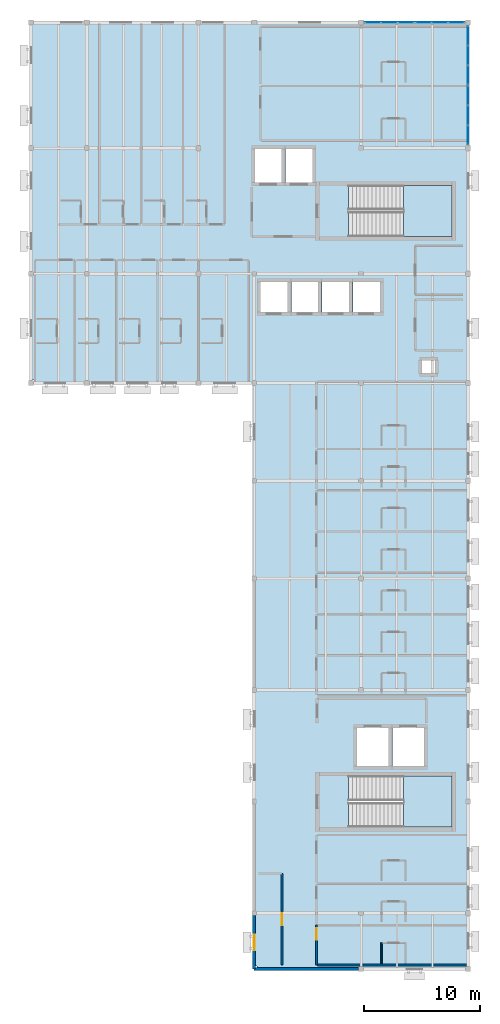
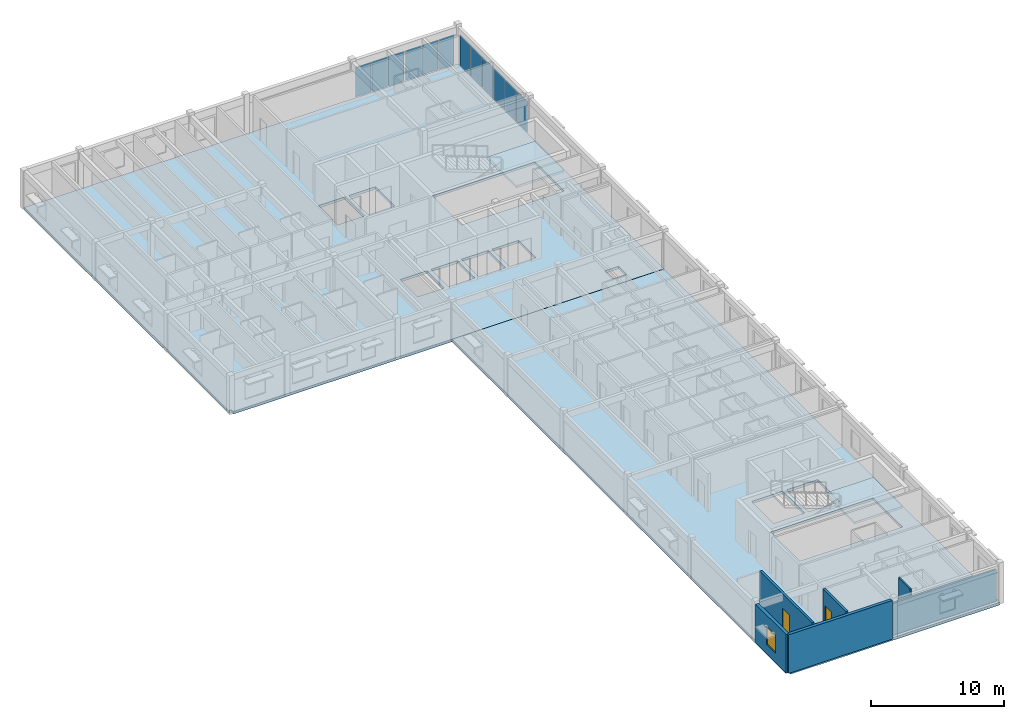
# One storey, part 4 of 14: 12 plates, 6 walls, 4 slabs, 2 doors, 1 window, 3 openings, 6 elements without a shape of their own.
"""IFC4 building model written with IfcOpenShell, lengths in metres."""

import ifcopenshell
import ifcopenshell.guid

model = None  # the IFC model being written
_history = None  # IfcOwnerHistory: only IFC2X3 demands one
_inside = {}  # id of a spatial element -> (the spatial element, [elements in it])
_under = {}  # id of a project, library or spatial element -> (it, [spatial elements below it])
_declared = {}  # id of a project -> (the project, [libraries it declares])
_typed = {}  # id of a type object -> (the type object, [elements of that type])
_made_of = {}  # id of a material, layer set ... -> (it, [elements and type objects made of it])


def new_model(schema):
    """Start an empty IFC model of exactly this schema.

    Asked for "IFC4X3", IfcOpenShell would pick the latest addendum, in which some entities
    have other attributes; the version numbers below select the first issue.
    IFC2X3 requires an IfcOwnerHistory on every rooted entity: one is made here for all.
    """
    global model, _history
    if schema == "IFC4X3":
        model = ifcopenshell.file(schema_version=(4, 3, 0, 0))
    else:
        model = ifcopenshell.file(schema=schema)
    _inside.clear()
    _under.clear()
    _declared.clear()
    _typed.clear()
    _made_of.clear()
    _history = None
    if model.schema == "IFC2X3":
        org = make("IfcOrganization", Name="unknown")
        user = make(
            "IfcPersonAndOrganization",
            ThePerson=make("IfcPerson", FamilyName="unknown"),
            TheOrganization=org,
        )
        app = make(
            "IfcApplication",
            ApplicationDeveloper=org,
            Version="unknown",
            ApplicationFullName="unknown",
            ApplicationIdentifier="unknown",
        )
        _history = make(
            "IfcOwnerHistory",
            OwningUser=user,
            OwningApplication=app,
            ChangeAction="ADDED",
            CreationDate=0,
        )
    return model


def make(cls, **values):
    """One entity of the class cls with the attributes given. An attribute that is None is left unset."""
    return model.create_entity(
        cls, **{name: value for name, value in values.items() if value is not None}
    )


def rooted(cls, **values):
    """An entity with a GlobalId (a new one), such as an element, a storey or a relation."""
    return make(cls, GlobalId=ifcopenshell.guid.new(), OwnerHistory=_history, **values)


def si_unit(unit_type, name, prefix=None):
    """IfcSIUnit, for example si_unit("LENGTHUNIT", "METRE", prefix="MILLI")."""
    return make("IfcSIUnit", UnitType=unit_type, Prefix=prefix, Name=name)


def assignment(units):
    """IfcUnitAssignment: the units of a project."""
    return None if units is None else make("IfcUnitAssignment", Units=units)


def point(xyz):
    """IfcCartesianPoint."""
    return None if xyz is None else make("IfcCartesianPoint", Coordinates=xyz)


def direction(xyz):
    """IfcDirection."""
    return None if xyz is None else make("IfcDirection", DirectionRatios=xyz)


def frame(location, z_axis=None, x_axis=None):
    """IfcAxis2Placement3D, a coordinate frame: its origin and axes. An axis left out is left unset."""
    return make(
        "IfcAxis2Placement3D",
        Location=point(location),
        Axis=direction(z_axis),
        RefDirection=direction(x_axis),
    )


def frame_2d(location, x_axis=None):
    """IfcAxis2Placement2D, a coordinate frame in the plane: its origin and x axis."""
    return make(
        "IfcAxis2Placement2D", Location=point(location), RefDirection=direction(x_axis)
    )


def origin():
    """The frame at (0, 0, 0) with its axes left unset."""
    return frame((0.0, 0.0, 0.0))


def origin_2d():
    """The frame at (0, 0) in the plane with its x axis left unset."""
    return frame_2d((0.0, 0.0))


def place(relative_to, where):
    """IfcLocalPlacement: puts the frame where relative to a parent placement (None: the world)."""
    return make(
        "IfcLocalPlacement", PlacementRelTo=relative_to, RelativePlacement=where
    )


def context(
    kind, dimensions, precision=None, world=None, true_north=None, identifier=None
):
    """IfcGeometricRepresentationContext, for example the 3D "Model" context."""
    return make(
        "IfcGeometricRepresentationContext",
        ContextIdentifier=identifier,
        ContextType=kind,
        CoordinateSpaceDimension=dimensions,
        Precision=precision,
        WorldCoordinateSystem=world,
        TrueNorth=true_north,
    )


def subcontext(parent, identifier, kind, view, scale=None):
    """IfcGeometricRepresentationSubContext, for example "Body" below "Model"."""
    return make(
        "IfcGeometricRepresentationSubContext",
        ContextIdentifier=identifier,
        ContextType=kind,
        ParentContext=parent,
        TargetScale=scale,
        TargetView=view,
    )


def project(units=None, contexts=None):
    """IfcProject with its units and contexts."""
    return rooted(
        "IfcProject",
        Name="project",
        RepresentationContexts=contexts,
        UnitsInContext=assignment(units),
    )


def spatial(cls, under=None, at=None, **own):
    """A site, building, storey or space (cls), placed at a placement, below another one or the project."""
    s = rooted(cls, ObjectPlacement=at, **own)
    if under is not None:
        _under.setdefault(under.id(), (under, []))[1].append(s)
    return s


def polyline(points):
    """IfcPolyline through the points."""
    return make("IfcPolyline", Points=[point(p) for p in points])


def profile(cls, at=None, kind="AREA", **sizes):
    """A parametric profile (cls). Its sizes go by their IFC names, for example OverallWidth=200.0."""
    return make(cls, ProfileType=kind, Position=at, **sizes)


def rectangle(**sizes):
    """IfcRectangleProfileDef."""
    return profile("IfcRectangleProfileDef", **sizes)


def outline(outer, holes=None, kind="AREA"):
    """IfcArbitraryClosedProfileDef: a profile drawn as a closed curve; with holes, ...WithVoids."""
    if holes is None:
        return make("IfcArbitraryClosedProfileDef", ProfileType=kind, OuterCurve=outer)
    return make(
        "IfcArbitraryProfileDefWithVoids",
        ProfileType=kind,
        OuterCurve=outer,
        InnerCurves=holes,
    )


def extrude(swept, where, along, depth):
    """IfcExtrudedAreaSolid: the profile swept, set in the frame where, extruded along a direction by depth."""
    return make(
        "IfcExtrudedAreaSolid",
        SweptArea=swept,
        Position=where,
        ExtrudedDirection=direction(along),
        Depth=depth,
    )


def shape(context_of_items, identifier, shape_type, items):
    """IfcShapeRepresentation: the items that make up one representation, for example the "Body"."""
    return make(
        "IfcShapeRepresentation",
        ContextOfItems=context_of_items,
        RepresentationIdentifier=identifier,
        RepresentationType=shape_type,
        Items=items,
    )


def material(Name=None, Category=None):
    """IfcMaterial."""
    return make("IfcMaterial", Name=Name, Category=Category)


def layer(
    of_material, thickness, ventilated=None, Name=None, Category=None, Priority=None
):
    """IfcMaterialLayer: one layer of a wall or slab, of a material (None: an air gap)."""
    return make(
        "IfcMaterialLayer",
        Material=of_material,
        LayerThickness=thickness,
        IsVentilated=ventilated,
        Name=Name,
        Category=Category,
        Priority=Priority,
    )


def layer_set(layers, Name=None):
    """IfcMaterialLayerSet."""
    return make("IfcMaterialLayerSet", MaterialLayers=layers, LayerSetName=Name)


def made_of(thing, what):
    """Note that an element or type object is made of a material, layer set ...; save() writes the relation."""
    if what is not None:
        _made_of.setdefault(what.id(), (what, []))[1].append(thing)
    return thing


def type_object(cls, material=None, **own):
    """A type object (cls), such as IfcWallType, which elements share."""
    return made_of(rooted(cls, **own), material)


def element(
    cls,
    number,
    at=None,
    inside=None,
    cuts=None,
    type_object=None,
    material=None,
    context=None,
    identifier="Body",
    shape_type=None,
    held_by="IfcProductDefinitionShape",
    body=None,
    shapes=None,
    **own,
):
    """One element of the class cls, such as IfcWall. Its Tag is "e" and its number.

    at: its placement. inside: the storey or other place that contains it. cuts: it is an
    opening in that element (IfcRelVoidsElement). A single representation is given by context,
    identifier, shape_type and body (its items); several are given by shapes. held_by: the class
    of the entity that holds the representations. save() writes the other relations.
    """
    e = rooted(cls, Tag="e%d" % number, ObjectPlacement=at, **own)
    if body is not None:
        shapes = [shape(context, identifier, shape_type, body)]
    if shapes is not None:
        e.Representation = make(held_by, Representations=shapes)
    if inside is not None:
        _inside.setdefault(inside.id(), (inside, []))[1].append(e)
    if cuts is not None:
        rooted(
            "IfcRelVoidsElement", RelatingBuildingElement=cuts, RelatedOpeningElement=e
        )
    if type_object is not None:
        _typed.setdefault(type_object.id(), (type_object, []))[1].append(e)
    return made_of(e, material)


def fill(opening, filler):
    """IfcRelFillsElement: the door or window that sits in an opening."""
    return rooted(
        "IfcRelFillsElement",
        RelatingOpeningElement=opening,
        RelatedBuildingElement=filler,
    )


def aggregate(whole, parts):
    """IfcRelAggregates: a whole, such as a stair, and the parts it consists of."""
    return rooted("IfcRelAggregates", RelatingObject=whole, RelatedObjects=parts)


def save(model, path):
    """Write the relations noted so far, then the file.

    IfcRelAggregates (storeys below a building ...), IfcRelContainedInSpatialStructure (elements
    in a storey), IfcRelDefinesByType, IfcRelAssociatesMaterial and IfcRelDeclares: one each for
    every whole, place, type object, material and project.
    """
    for whole, parts in _under.values():
        aggregate(whole, parts)
    for where, things in _inside.values():
        rooted(
            "IfcRelContainedInSpatialStructure",
            RelatedElements=things,
            RelatingStructure=where,
        )
    for kind, things in _typed.values():
        rooted("IfcRelDefinesByType", RelatedObjects=things, RelatingType=kind)
    for what, things in _made_of.values():
        rooted("IfcRelAssociatesMaterial", RelatedObjects=things, RelatingMaterial=what)
    for by, libraries in _declared.values():
        rooted("IfcRelDeclares", RelatingContext=by, RelatedDefinitions=libraries)
    model.write(path)


model = new_model("IFC4")

# Units and contexts
model_context = context("Model", 3, precision=1e-05, world=origin(), true_north=direction((0.0, 1.0)))
body_context = subcontext(model_context, "Body", "Model", "MODEL_VIEW")
ifc_project = project(units=[si_unit("LENGTHUNIT", "METRE"), si_unit("AREAUNIT", "SQUARE_METRE"), si_unit("VOLUMEUNIT", "CUBIC_METRE"), si_unit("PLANEANGLEUNIT", "RADIAN"), si_unit("MASSUNIT", "GRAM", prefix="KILO")], contexts=[model_context])

# Site, building, storey
site_placement = place(None, origin())
site = spatial("IfcSite", under=ifc_project, at=site_placement, CompositionType="ELEMENT")
building_placement = place(site_placement, origin())
building = spatial("IfcBuilding", under=site, at=building_placement, Name="Veldera Park Congress Hotel", CompositionType="ELEMENT")
storey_placement = place(building_placement, frame((0.0, 0.0, 42.800048828125)))
storey = spatial("IfcBuildingStorey", under=building, at=storey_placement, Name="L10", CompositionType="ELEMENT", Elevation=42.800048828125)

# Curtain wall, plates
ifc_material_1 = material(Name="Low-E Triple Insulating Glass Unit (SHGC 0.22)", Category="glass")
curtain_wall_type = type_object("IfcCurtainWallType", Name="CW-HTL", PredefinedType="NOTDEFINED", material=ifc_material_1)
curtain_wall_1_placement = place(storey_placement, origin())
curtain_wall_1 = element("IfcCurtainWall", 1, at=curtain_wall_1_placement, inside=storey, type_object=curtain_wall_type, Name="L10 Curtain Wall CW3-HTLNE-L10-126", PredefinedType="NOTDEFINED")
ifc_layer_1 = layer(ifc_material_1, 0.028076171875)
ifc_layer_set_1 = layer_set([ifc_layer_1], Name="Low-E Triple Insulating Glass Unit (SHGC 0.22)")
plate_type = type_object("IfcPlateType", Name="CWP-IGU28", PredefinedType="CURTAIN_PANEL", material=ifc_layer_set_1)
plate_1_placement = place(storey_placement, frame((84.0, 48.333251953125, 0.06005859375), z_axis=(0.0, 0.0, 1.0), x_axis=(0.0, 1.0, 0.0)))
plate_1 = element("IfcPlate", 2, at=plate_1_placement, type_object=plate_type, Name="CW-HTL panel 1.1", PredefinedType="CURTAIN_PANEL", context=body_context, shape_type="SweptSolid", body=[
    extrude(rectangle(XDim=1.61669921875, YDim=0.028076171875, at=origin_2d()), origin(), (0.0, 0.0, 1.0), 2.8349609375),
])
plate_2_placement = place(storey_placement, frame((84.0, 50.02490234375, 0.06005859375), z_axis=(0.0, 0.0, 1.0), x_axis=(0.0, 1.0, 0.0)))
plate_2 = element("IfcPlate", 3, at=plate_2_placement, type_object=plate_type, Name="CW-HTL panel 2.1", PredefinedType="CURTAIN_PANEL", context=body_context, shape_type="SweptSolid", body=[
    extrude(rectangle(XDim=1.646728515625, YDim=0.028076171875, at=origin_2d()), origin(), (0.0, 0.0, 1.0), 2.8349609375),
])
plate_3_placement = place(storey_placement, frame((84.0, 51.716552734375, 0.06005859375), z_axis=(0.0, 0.0, 1.0), x_axis=(0.0, 1.0, 0.0)))
plate_3 = element("IfcPlate", 4, at=plate_3_placement, type_object=plate_type, Name="CW-HTL panel 3.1", PredefinedType="CURTAIN_PANEL", context=body_context, shape_type="SweptSolid", body=[
    extrude(rectangle(XDim=1.61669921875, YDim=0.028076171875, at=origin_2d()), origin(), (0.0, 0.0, 1.0), 2.8349609375),
])
aggregate(curtain_wall_1, [plate_1, plate_2, plate_3])

curtain_wall_2_placement = place(storey_placement, origin())
curtain_wall_2 = element("IfcCurtainWall", 5, at=curtain_wall_2_placement, inside=storey, type_object=curtain_wall_type, Name="L10 Curtain Wall CW3-HTLNE-L10-127", PredefinedType="NOTDEFINED")
plate_4_placement = place(storey_placement, frame((84.0, 53.4833984375, 0.06005859375), z_axis=(0.0, 0.0, 1.0), x_axis=(0.0, 1.0, 0.0)))
plate_4 = element("IfcPlate", 6, at=plate_4_placement, type_object=plate_type, Name="CW-HTL panel 1.1", PredefinedType="CURTAIN_PANEL", context=body_context, shape_type="SweptSolid", body=[
    extrude(rectangle(XDim=1.61669921875, YDim=0.028076171875, at=origin_2d()), origin(), (0.0, 0.0, 1.0), 2.8349609375),
])
plate_5_placement = place(storey_placement, frame((84.0, 55.175048828125, 0.06005859375), z_axis=(0.0, 0.0, 1.0), x_axis=(0.0, 1.0, 0.0)))
plate_5 = element("IfcPlate", 7, at=plate_5_placement, type_object=plate_type, Name="CW-HTL panel 2.1", PredefinedType="CURTAIN_PANEL", context=body_context, shape_type="SweptSolid", body=[
    extrude(rectangle(XDim=1.646728515625, YDim=0.028076171875, at=origin_2d()), origin(), (0.0, 0.0, 1.0), 2.8349609375),
])
plate_6_placement = place(storey_placement, frame((84.0, 56.86669921875, 0.06005859375), z_axis=(0.0, 0.0, 1.0), x_axis=(0.0, 1.0, 0.0)))
plate_6 = element("IfcPlate", 8, at=plate_6_placement, type_object=plate_type, Name="CW-HTL panel 3.1", PredefinedType="CURTAIN_PANEL", context=body_context, shape_type="SweptSolid", body=[
    extrude(rectangle(XDim=1.61669921875, YDim=0.028076171875, at=origin_2d()), origin(), (0.0, 0.0, 1.0), 2.8349609375),
])
aggregate(curtain_wall_2, [plate_4, plate_5, plate_6])

curtain_wall_3_placement = place(storey_placement, origin())
curtain_wall_3 = element("IfcCurtainWall", 9, at=curtain_wall_3_placement, inside=storey, type_object=curtain_wall_type, Name="L10 Curtain Wall CW3-HTLNN-L10-128", PredefinedType="NOTDEFINED")
plate_7_placement = place(storey_placement, frame((83.0, 58.0, 0.06005859375), z_axis=(0.0, 0.0, 1.0), x_axis=(-1.0, 0.0, 0.0)))
plate_7 = element("IfcPlate", 10, at=plate_7_placement, type_object=plate_type, Name="CW-HTL panel 1.1", PredefinedType="CURTAIN_PANEL", context=body_context, shape_type="SweptSolid", body=[
    extrude(rectangle(XDim=1.35009765625, YDim=0.028076171875, at=origin_2d()), origin(), (0.0, 0.0, 1.0), 2.735107421875),
])
plate_8_placement = place(storey_placement, frame((81.574951171875, 58.0, 0.06005859375), z_axis=(0.0, 0.0, 1.0), x_axis=(-1.0, 0.0, 0.0)))
plate_8 = element("IfcPlate", 11, at=plate_8_placement, type_object=plate_type, Name="CW-HTL panel 2.1", PredefinedType="CURTAIN_PANEL", context=body_context, shape_type="SweptSolid", body=[
    extrude(rectangle(XDim=1.3798828125, YDim=0.028076171875, at=origin_2d()), origin(), (0.0, 0.0, 1.0), 2.735107421875),
])
plate_9_placement = place(storey_placement, frame((80.14990234375, 58.0, 0.06005859375), z_axis=(0.0, 0.0, 1.0), x_axis=(-1.0, 0.0, 0.0)))
plate_9 = element("IfcPlate", 12, at=plate_9_placement, type_object=plate_type, Name="CW-HTL panel 3.1", PredefinedType="CURTAIN_PANEL", context=body_context, shape_type="SweptSolid", body=[
    extrude(rectangle(XDim=1.35009765625, YDim=0.028076171875, at=origin_2d()), origin(), (0.0, 0.0, 1.0), 2.735107421875),
])
aggregate(curtain_wall_3, [plate_7, plate_8, plate_9])

curtain_wall_4_placement = place(storey_placement, origin())
curtain_wall_4 = element("IfcCurtainWall", 13, at=curtain_wall_4_placement, inside=storey, type_object=curtain_wall_type, Name="L10 Curtain Wall CW3-HTLNN-L10-129", PredefinedType="NOTDEFINED")
plate_10_placement = place(storey_placement, frame((78.64990234375, 58.0, 0.06005859375), z_axis=(0.0, 0.0, 1.0), x_axis=(-1.0, 0.0, 0.0)))
plate_10 = element("IfcPlate", 14, at=plate_10_placement, type_object=plate_type, Name="CW-HTL panel 1.1", PredefinedType="CURTAIN_PANEL", context=body_context, shape_type="SweptSolid", body=[
    extrude(rectangle(XDim=1.35009765625, YDim=0.028076171875, at=origin_2d()), origin(), (0.0, 0.0, 1.0), 2.735107421875),
])
plate_11_placement = place(storey_placement, frame((77.22509765625, 58.0, 0.06005859375), z_axis=(0.0, 0.0, 1.0), x_axis=(-1.0, 0.0, 0.0)))
plate_11 = element("IfcPlate", 15, at=plate_11_placement, type_object=plate_type, Name="CW-HTL panel 2.1", PredefinedType="CURTAIN_PANEL", context=body_context, shape_type="SweptSolid", body=[
    extrude(rectangle(XDim=1.3798828125, YDim=0.028076171875, at=origin_2d()), origin(), (0.0, 0.0, 1.0), 2.735107421875),
])
plate_12_placement = place(storey_placement, frame((75.800048828125, 58.0, 0.06005859375), z_axis=(0.0, 0.0, 1.0), x_axis=(-1.0, 0.0, 0.0)))
plate_12 = element("IfcPlate", 16, at=plate_12_placement, type_object=plate_type, Name="CW-HTL panel 3.1", PredefinedType="CURTAIN_PANEL", context=body_context, shape_type="SweptSolid", body=[
    extrude(rectangle(XDim=1.35009765625, YDim=0.028076171875, at=origin_2d()), origin(), (0.0, 0.0, 1.0), 2.735107421875),
])
aggregate(curtain_wall_4, [plate_10, plate_11, plate_12])

# Slabs
ifc_material_2 = material(Name="Cross-laminated timber CLT V2M1.1", Category="wood")
ifc_layer_2 = layer(ifc_material_2, 0.235107421875)
ifc_layer_set_2 = layer_set([ifc_layer_2], Name="Cross-laminated timber CLT V2M1.1")
slab_type_1 = type_object("IfcSlabType", Name="SLB-CLT235", PredefinedType="FLOOR", material=ifc_layer_set_2)
slab_1_placement = place(storey_placement, frame((0.0, 0.0, -0.235107421875)))
element("IfcSlab", 17, at=slab_1_placement, inside=storey, type_object=slab_type_1, Name="L10 Hotel East Wing CLT Floor Deck SLB-L10-V4E", PredefinedType="FLOOR", context=body_context, shape_type="SweptSolid", body=[
    extrude(outline(polyline([(65.60009765625, -23.139892578125), (65.860107421875, -23.139892578125), (65.860107421875, -23.39990234375), (84.0, -23.39990234375), (84.0, 27.0), (65.60009765625, 27.0), (65.60009765625, -23.139892578125)]), holes=[polyline([(73.715087890625, -11.199951171875), (82.60009765625, -11.199951171875), (82.60009765625, -6.800048828125), (73.715087890625, -6.800048828125), (73.715087890625, -11.199951171875)]), polyline([(74.449951171875, -5.949951171875), (77.14990234375, -5.949951171875), (77.14990234375, -2.64990234375), (74.449951171875, -2.64990234375), (74.449951171875, -5.949951171875)]), polyline([(77.5, -5.949951171875), (80.199951171875, -5.949951171875), (80.199951171875, -2.64990234375), (77.5, -2.64990234375), (77.5, -5.949951171875)])]), origin(), (0.0, 0.0, 1.0), 0.235107421875),
])
slab_2_placement = place(storey_placement, frame((0.0, 0.0, -0.235107421875)))
element("IfcSlab", 18, at=slab_2_placement, inside=storey, type_object=slab_type_1, Name="L10 Hotel North Wing CLT Floor Deck SLB-L10-V4N", PredefinedType="FLOOR", context=body_context, shape_type="SweptSolid", body=[
    extrude(outline(polyline([(46.39990234375, 27.260009765625), (46.659912109375, 27.260009765625), (46.659912109375, 27.0), (84.0, 27.0), (84.0, 58.0), (46.39990234375, 58.0), (46.39990234375, 27.260009765625)]), holes=[polyline([(73.715087890625, 39.60009765625), (82.60009765625, 39.60009765625), (82.60009765625, 44.0), (73.715087890625, 44.0), (73.715087890625, 39.60009765625)]), polyline([(65.64990234375, 44.25), (67.949951171875, 44.25), (67.949951171875, 47.14990234375), (65.64990234375, 47.14990234375), (65.64990234375, 44.25)]), polyline([(68.300048828125, 44.25), (70.60009765625, 44.25), (70.60009765625, 47.14990234375), (68.300048828125, 47.14990234375), (68.300048828125, 44.25)]), polyline([(66.14990234375, 33.10009765625), (68.449951171875, 33.10009765625), (68.449951171875, 35.699951171875), (66.14990234375, 35.699951171875), (66.14990234375, 33.10009765625)]), polyline([(68.800048828125, 33.10009765625), (71.10009765625, 33.10009765625), (71.10009765625, 35.699951171875), (68.800048828125, 35.699951171875), (68.800048828125, 33.10009765625)]), polyline([(71.449951171875, 33.10009765625), (73.75, 33.10009765625), (73.75, 35.699951171875), (71.449951171875, 35.699951171875), (71.449951171875, 33.10009765625)]), polyline([(74.10009765625, 33.10009765625), (76.39990234375, 33.10009765625), (76.39990234375, 35.699951171875), (74.10009765625, 35.699951171875), (74.10009765625, 33.10009765625)]), polyline([(80.0, 27.800048828125), (81.199951171875, 27.800048828125), (81.199951171875, 29.0), (80.0, 29.0), (80.0, 27.800048828125)])]), origin(), (0.0, 0.0, 1.0), 0.235107421875),
])

# Stair, slab
ifc_material_3 = material(Name="Concrete f'c 40 MPa (5,800 psi)", Category="concrete")
stair_type_1 = type_object("IfcStairType", Name="ST1", PredefinedType="HALF_TURN_STAIR", material=ifc_material_3)
stair_1_placement = place(storey_placement, origin())
stair_1 = element("IfcStair", 19, at=stair_1_placement, inside=storey, type_object=stair_type_1, Name="L10 Protected Exit Stair ST1", PredefinedType="HALF_TURN_STAIR")
ifc_layer_3 = layer(ifc_material_3, 0.199951171875)
ifc_layer_set_3 = layer_set([ifc_layer_3], Name="Concrete f'c 40 MPa (5,800 psi)")
slab_type_2 = type_object("IfcSlabType", Name="SLD-ST1", PredefinedType="LANDING", material=ifc_layer_set_3)
slab_3_placement = place(storey_placement, frame((0.0, 0.0, 1.699951171875)))
slab_3 = element("IfcSlab", 20, at=slab_3_placement, type_object=slab_type_2, Name="ST1 landing 1", PredefinedType="LANDING", context=body_context, shape_type="SweptSolid", body=[
    extrude(outline(polyline([(78.445068359375, 39.60009765625), (82.60009765625, 39.60009765625), (82.60009765625, 44.0), (78.445068359375, 44.0), (78.445068359375, 39.60009765625)])), origin(), (0.0, 0.0, 1.0), 0.199951171875),
])
aggregate(stair_1, [slab_3])

stair_type_2 = type_object("IfcStairType", Name="ST2", PredefinedType="HALF_TURN_STAIR", material=ifc_material_3)
stair_2_placement = place(storey_placement, origin())
stair_2 = element("IfcStair", 21, at=stair_2_placement, inside=storey, type_object=stair_type_2, Name="L10 Protected Exit Stair ST2", PredefinedType="HALF_TURN_STAIR")
ifc_layer_4 = layer(ifc_material_3, 0.199951171875)
ifc_layer_set_4 = layer_set([ifc_layer_4], Name="Concrete f'c 40 MPa (5,800 psi)")
slab_type_3 = type_object("IfcSlabType", Name="SLD-ST2", PredefinedType="LANDING", material=ifc_layer_set_4)
slab_4_placement = place(storey_placement, frame((0.0, 0.0, 1.699951171875)))
slab_4 = element("IfcSlab", 22, at=slab_4_placement, type_object=slab_type_3, Name="ST2 landing 1", PredefinedType="LANDING", context=body_context, shape_type="SweptSolid", body=[
    extrude(outline(polyline([(78.445068359375, -11.199951171875), (82.60009765625, -11.199951171875), (82.60009765625, -6.800048828125), (78.445068359375, -6.800048828125), (78.445068359375, -11.199951171875)])), origin(), (0.0, 0.0, 1.0), 0.199951171875),
])
aggregate(stair_2, [slab_4])

# Wall
ifc_layer_5 = layer(ifc_material_2, 0.264892578125)
ifc_layer_set_5 = layer_set([ifc_layer_5], Name="Cross-laminated timber CLT V2M1.1")
wall_type_1 = type_object("IfcWallType", Name="EW-CLT265", PredefinedType="STANDARD", material=ifc_layer_set_5)
wall_1_placement = place(storey_placement, frame((65.60009765625, -23.39990234375, 0.0), z_axis=(0.0, 0.0, 1.0), x_axis=(1.0, 0.0, 0.0)))
element("IfcWall", 23, at=wall_1_placement, inside=storey, type_object=wall_type_1, Name="L10 Exterior Wall EW3-L10-0423", PredefinedType="STANDARD", context=body_context, shape_type="SweptSolid", body=[
    extrude(rectangle(XDim=8.991943359375, YDim=0.264892578125, at=frame_2d((4.49609375, 0.0))), origin(), (0.0, 0.0, 1.0), 3.5400390625),
])

# Wall, opening, window
wall_2_placement = place(storey_placement, frame((65.60009765625, -18.80810546875, 0.0), z_axis=(0.0, 0.0, 1.0), x_axis=(0.0, -1.0, 0.0)))
wall_2 = element("IfcWall", 24, at=wall_2_placement, inside=storey, type_object=wall_type_1, Name="L10 Exterior Wall EW3-L10-0448", PredefinedType="STANDARD", context=body_context, shape_type="SweptSolid", body=[
    extrude(rectangle(XDim=4.591796875, YDim=0.264892578125, at=frame_2d((2.2958984375, 0.0))), origin(), (0.0, 0.0, 1.0), 3.5400390625),
])
opening_1_placement = place(wall_2_placement, frame((1.62109375, 0.0, 0.85009765625)))
opening_1 = element("IfcOpeningElement", 25, at=opening_1_placement, cuts=wall_2, Name="Opening WIN-1350", PredefinedType="OPENING", context=body_context, shape_type="SweptSolid", body=[
    extrude(rectangle(XDim=1.35009765625, YDim=1.64990234375, at=frame_2d((0.675048828125, 0.824951171875))), frame((0.0, 0.14453125, 0.0), z_axis=(0.0, -1.0, 0.0), x_axis=(1.0, 0.0, 0.0)), (0.0, 0.0, 1.0), 0.288818359375),
])
window_type = type_object("IfcWindowType", Name="WIN-1350", PartitioningType="SINGLE_PANEL", PredefinedType="WINDOW", material=ifc_material_1)
window_placement = place(opening_1_placement, origin())
window = element("IfcWindow", 26, at=window_placement, inside=storey, type_object=window_type, Name="L10 Window WIN-1350 342", OverallHeight=1.64990234375, OverallWidth=1.35009765625, PartitioningType="SINGLE_PANEL", PredefinedType="WINDOW", context=body_context, shape_type="SweptSolid", body=[
    extrude(rectangle(XDim=1.35009765625, YDim=1.64990234375, at=frame_2d((0.675048828125, 0.824951171875))), frame((0.0, 0.030029296875, 0.0), z_axis=(0.0, -1.0, 0.0), x_axis=(1.0, 0.0, 0.0)), (0.0, 0.0, 1.0), 0.06005859375),
])
fill(opening_1, window)

# Wall
ifc_material_4 = material(Name="Fire-Rated Gypsum Board on Cold-Formed Steel Studs", Category="steel")
ifc_layer_6 = layer(ifc_material_4, 0.1201171875)
ifc_layer_set_6 = layer_set([ifc_layer_6], Name="Fire-Rated Gypsum Board on Cold-Formed Steel Studs")
wall_type_2 = type_object("IfcWallType", Name="IW-BATH120", PredefinedType="PARTITIONING", material=ifc_layer_set_6)
wall_3_placement = place(storey_placement, frame((76.550048828125, -22.89990234375, 0.0), z_axis=(0.0, 0.0, 1.0), x_axis=(0.0, 1.0, 0.0)))
element("IfcWall", 27, at=wall_3_placement, inside=storey, type_object=wall_type_2, Name="L10 Partition Wall IW3-L10-01691", PredefinedType="PARTITIONING", context=body_context, shape_type="SweptSolid", body=[
    extrude(rectangle(XDim=1.75, YDim=0.1201171875, at=frame_2d((0.875, 0.0))), origin(), (0.0, 0.0, 1.0), 3.5400390625),
])

# Wall, opening, door
ifc_layer_7 = layer(ifc_material_4, 0.179931640625)
ifc_layer_set_7 = layer_set([ifc_layer_7], Name="Fire-Rated Gypsum Board on Cold-Formed Steel Studs")
wall_type_3 = type_object("IfcWallType", Name="IW-CORR180", PredefinedType="PARTITIONING", material=ifc_layer_set_7)
wall_4_placement = place(storey_placement, frame((68.0, -23.050048828125, 0.0), z_axis=(0.0, 0.0, 1.0), x_axis=(0.0, 1.0, 0.0)))
wall_4 = element("IfcWall", 28, at=wall_4_placement, inside=storey, type_object=wall_type_3, Name="L10 Partition Wall IW3-L10-00343", PredefinedType="PARTITIONING", context=body_context, shape_type="SweptSolid", body=[
    extrude(rectangle(XDim=7.85009765625, YDim=0.179931640625, at=frame_2d((3.925048828125, 0.0))), origin(), (0.0, 0.0, 1.0), 3.5400390625),
])
opening_2_placement = place(wall_4_placement, frame((3.39990234375, 0.0, 0.0)))
opening_2 = element("IfcOpeningElement", 29, at=opening_2_placement, cuts=wall_4, Name="Opening ID-MEET105", PredefinedType="OPENING", context=body_context, shape_type="SweptSolid", body=[
    extrude(rectangle(XDim=1.050048828125, YDim=2.199951171875, at=frame_2d((0.52490234375, 1.10009765625))), frame((0.0, 0.10205078125, 0.0), z_axis=(0.0, -1.0, 0.0), x_axis=(1.0, 0.0, 0.0)), (0.0, 0.0, 1.0), 0.203857421875),
])
ifc_material_5 = material(Name="Solid Core White Oak Architectural Door", Category="wood")
door_type_1 = type_object("IfcDoorType", Name="ID-MEET105", OperationType="NOTDEFINED", PredefinedType="DOOR", material=ifc_material_5)
door_1_placement = place(opening_2_placement, origin())
door_1 = element("IfcDoor", 30, at=door_1_placement, inside=storey, type_object=door_type_1, Name="L10 Diplomatic Delegation Briefing Salon Door ID3-L10-0130 (DR3-ID3-L10-0130)", OperationType="SINGLE_SWING_LEFT", OverallHeight=2.199951171875, OverallWidth=1.050048828125, PredefinedType="DOOR", context=body_context, shape_type="SweptSolid", body=[
    extrude(rectangle(XDim=1.050048828125, YDim=2.199951171875, at=frame_2d((0.52490234375, 1.10009765625))), frame((0.0, 0.02490234375, 0.0), z_axis=(0.0, -1.0, 0.0), x_axis=(1.0, 0.0, 0.0)), (0.0, 0.0, 1.0), 0.050048828125),
])
fill(opening_2, door_1)

wall_5_placement = place(storey_placement, frame((70.949951171875, -19.6201171875, 0.0), z_axis=(0.0, 0.0, 1.0), x_axis=(0.0, -1.0, 0.0)))
wall_5 = element("IfcWall", 31, at=wall_5_placement, inside=storey, type_object=wall_type_3, Name="L10 Corridor Wall IW3-L10-01688", PredefinedType="PARTITIONING", context=body_context, shape_type="SweptSolid", body=[
    extrude(rectangle(XDim=3.429931640625, YDim=0.179931640625, at=frame_2d((1.71484375, 0.0))), origin(), (0.0, 0.0, 1.0), 3.5400390625),
])
opening_3_placement = place(wall_5_placement, frame((0.280029296875, 0.0, 0.0)))
opening_3 = element("IfcOpeningElement", 32, at=opening_3_placement, cuts=wall_5, Name="Opening ID-UNIT098", PredefinedType="OPENING", context=body_context, shape_type="SweptSolid", body=[
    extrude(rectangle(XDim=0.97998046875, YDim=2.179931640625, at=frame_2d((0.489990234375, 1.08984375))), frame((0.0, 0.10205078125, 0.0), z_axis=(0.0, -1.0, 0.0), x_axis=(1.0, 0.0, 0.0)), (0.0, 0.0, 1.0), 0.203857421875),
])
door_type_2 = type_object("IfcDoorType", Name="ID-UNIT098", OperationType="NOTDEFINED", PredefinedType="DOOR", material=ifc_material_5)
door_2_placement = place(opening_3_placement, origin())
door_2 = element("IfcDoor", 33, at=door_2_placement, inside=storey, type_object=door_type_2, Name="L10 Guestroom 278 Entry Door (DR3-UD3-L10-278)", OperationType="SINGLE_SWING_RIGHT", OverallHeight=2.179931640625, OverallWidth=0.97998046875, PredefinedType="DOOR", context=body_context, shape_type="SweptSolid", body=[
    extrude(rectangle(XDim=0.97998046875, YDim=2.179931640625, at=frame_2d((0.489990234375, 1.08984375))), frame((0.0, 0.02490234375, 0.0), z_axis=(0.0, -1.0, 0.0), x_axis=(1.0, 0.0, 0.0)), (0.0, 0.0, 1.0), 0.050048828125),
])
fill(opening_3, door_2)

# Wall
ifc_layer_8 = layer(ifc_material_2, 0.159912109375)
ifc_layer_set_8 = layer_set([ifc_layer_8], Name="Cross-laminated timber CLT V2M1.1")
wall_type_4 = type_object("IfcWallType", Name="IW-UNIT160", PredefinedType="PARTITIONING", material=ifc_layer_set_8)
wall_6_placement = place(storey_placement, frame((71.050048828125, -23.050048828125, 0.0), z_axis=(0.0, 0.0, 1.0), x_axis=(1.0, 0.0, 0.0)))
element("IfcWall", 34, at=wall_6_placement, inside=storey, type_object=wall_type_4, Name="L10 Partition Wall IW3-L10-01689", PredefinedType="PARTITIONING", context=body_context, shape_type="SweptSolid", body=[
    extrude(rectangle(XDim=12.7900390625, YDim=0.159912109375, at=frame_2d((6.39501953125, 0.0))), origin(), (0.0, 0.0, 1.0), 2.9150390625),
])

save(model, "model.ifc")
